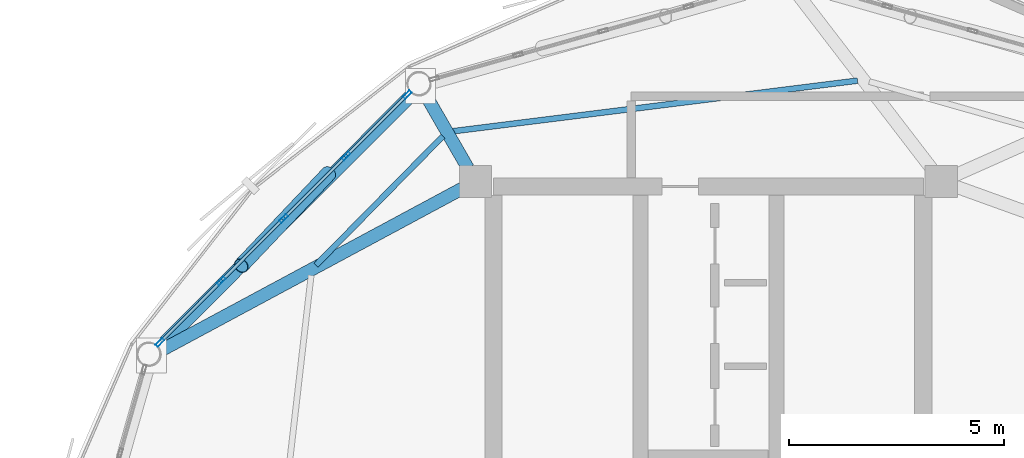
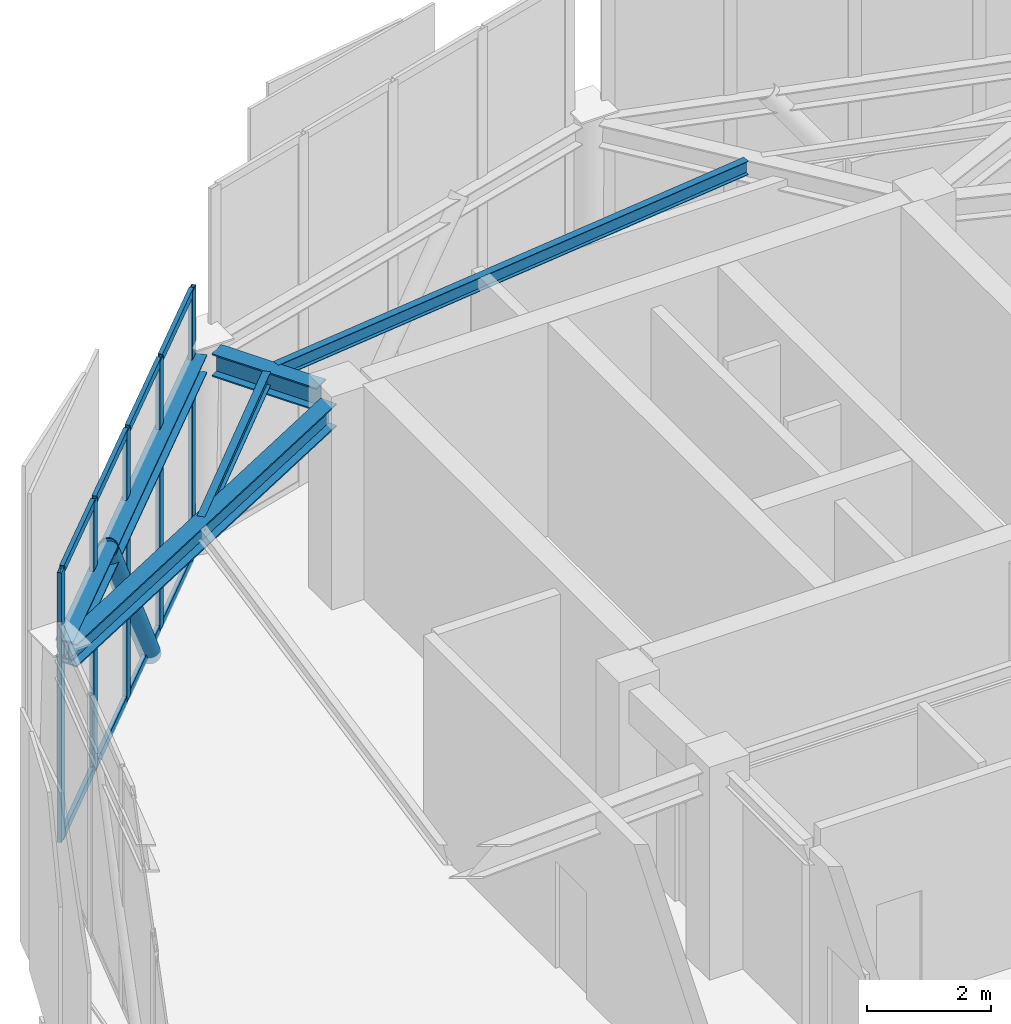
# One storey, part 9 of 20: 14 members, 5 beams, 1 element without a shape of its own.
"""IFC4 building model written with IfcOpenShell, lengths in metres."""

from ifc_helpers import new_model, si_unit, direction, frame, origin, origin_2d, place, context, subcontext, project, spatial, hollow_rectangle, hollow_circle, i_section, extrude, material, layer, layer_set, material_profile, profile_set, type_object, element, aggregate, save


model = new_model("IFC4")

# Units and contexts
model_context = context("Model", 3, precision=1e-05, world=origin(), true_north=direction((0.0, 1.0)))
body_context = subcontext(model_context, "Body", "Model", "MODEL_VIEW")
ifc_project = project(units=[si_unit("LENGTHUNIT", "METRE"), si_unit("AREAUNIT", "SQUARE_METRE"), si_unit("VOLUMEUNIT", "CUBIC_METRE"), si_unit("PLANEANGLEUNIT", "RADIAN"), si_unit("MASSUNIT", "GRAM", prefix="KILO")], contexts=[model_context])

# Site, building, storey
site_placement = place(None, origin())
site = spatial("IfcSite", under=ifc_project, at=site_placement, CompositionType="ELEMENT")
building_placement = place(site_placement, origin())
building = spatial("IfcBuilding", under=site, at=building_placement, Name="Varnakorn Sky Granary", CompositionType="ELEMENT")
storey_placement = place(building_placement, frame((0.0, 0.0, 310.800048828125)))
storey = spatial("IfcBuildingStorey", under=building, at=storey_placement, Name="L79", CompositionType="ELEMENT", Elevation=310.800048828125)

# Beams
ifc_material_1 = material(Name="Steel S355JR", Category="steel")
ifc_material_profile_1 = material_profile(ifc_material_1, i_section(OverallWidth=0.300048828125, OverallDepth=0.449951171875, WebThickness=0.013916015625, FlangeThickness=0.02587890625, at=origin_2d()), Name="HE 450 B")
ifc_profile_set_1 = profile_set([ifc_material_profile_1], Name="Steel S355JR")
beam_type_1 = type_object("IfcBeamType", Name="BM-RAD-Z5", PredefinedType="BEAM", material=ifc_profile_set_1)
beam_1_placement = place(storey_placement, frame((-2.597412109375, 12.927490234375, 3.73486328125), z_axis=(-0.499584699047, 0.866265045167, 0.0), x_axis=(-0.866265045167, -0.499584699047, 0.0)))
element("IfcBeam", 1, at=beam_1_placement, inside=storey, type_object=beam_type_1, Name="Radial Floor Girder RG05 L79", PredefinedType="BEAM", context=body_context, shape_type="SweptSolid", body=[
    extrude(i_section(OverallWidth=0.300048828125, OverallDepth=0.449951171875, WebThickness=0.013916015625, FlangeThickness=0.02587890625, at=origin_2d()), origin(), (0.0, 0.0, 1.0), 1.943603515625),
])
beam_2_placement = place(storey_placement, frame((-2.732666015625, 12.451904296875, 3.73486328125), z_axis=(-0.880853886649, -0.473388244864, 0.0), x_axis=(0.473388244864, -0.880853886649, 0.0)))
element("IfcBeam", 2, at=beam_2_placement, inside=storey, type_object=beam_type_1, Name="Radial Floor Girder RG06 L79", PredefinedType="BEAM", context=body_context, shape_type="SweptSolid", body=[
    extrude(i_section(OverallWidth=0.300048828125, OverallDepth=0.449951171875, WebThickness=0.013916015625, FlangeThickness=0.02587890625, at=origin_2d()), origin(), (0.0, 0.0, 1.0), 7.940185546875),
])
ifc_material_profile_2 = material_profile(ifc_material_1, i_section(OverallWidth=0.135009765625, OverallDepth=0.27001953125, WebThickness=0.006591796875, FlangeThickness=0.01025390625, at=origin_2d()), Name="IPE 270")
ifc_profile_set_2 = profile_set([ifc_material_profile_2], Name="Steel S355JR")
beam_type_2 = type_object("IfcBeamType", Name="BM-SEC-Z5", PredefinedType="BEAM", material=ifc_profile_set_2)
beam_3_placement = place(storey_placement, frame((6.468505859375, 14.964111328125, 3.824951171875), z_axis=(-0.992265993528, -0.124129763106, 0.0), x_axis=(0.124129763106, -0.992265993528, 0.0)))
element("IfcBeam", 3, at=beam_3_placement, inside=storey, type_object=beam_type_2, Name="Secondary Floor Chord Beam MSB04 L79", PredefinedType="BEAM", context=body_context, shape_type="SweptSolid", body=[
    extrude(i_section(OverallWidth=0.135009765625, OverallDepth=0.27001953125, WebThickness=0.006591796875, FlangeThickness=0.01025390625, at=origin_2d()), origin(), (0.0, 0.0, 1.0), 9.486083984375),
])
beam_4_placement = place(storey_placement, frame((-3.18115234375, 13.66943359375, 3.824951171875), z_axis=(-0.701541218528, -0.712628878664, 0.0), x_axis=(0.712628878664, -0.701541218528, 0.0)))
element("IfcBeam", 4, at=beam_4_placement, inside=storey, type_object=beam_type_2, Name="Secondary Floor Chord Beam MSB05 L79", PredefinedType="BEAM", context=body_context, shape_type="SweptSolid", body=[
    extrude(i_section(OverallWidth=0.135009765625, OverallDepth=0.27001953125, WebThickness=0.006591796875, FlangeThickness=0.01025390625, at=origin_2d()), origin(), (0.0, 0.0, 1.0), 4.20556640625),
])
ifc_material_profile_3 = material_profile(ifc_material_1, i_section(OverallWidth=0.300048828125, OverallDepth=0.360107421875, WebThickness=0.012451171875, FlangeThickness=0.0224609375, at=origin_2d()), Name="HE 360 B")
ifc_profile_set_3 = profile_set([ifc_material_profile_3], Name="Steel S355JR")
beam_type_3 = type_object("IfcBeamType", Name="BM-SPD-Z5", PredefinedType="SPANDREL", material=ifc_profile_set_3)
beam_5_placement = place(storey_placement, frame((-3.88720703125, 14.653076171875, 3.780029296875), z_axis=(-0.706388572025, -0.707824261602, 0.0), x_axis=(0.707824261602, -0.706388572025, 0.0)))
element("IfcBeam", 5, at=beam_5_placement, inside=storey, type_object=beam_type_3, Name="Perimeter Spandrel Ring Beam RB05 L79", PredefinedType="SPANDREL", context=body_context, shape_type="SweptSolid", body=[
    extrude(i_section(OverallWidth=0.300048828125, OverallDepth=0.360107421875, WebThickness=0.012451171875, FlangeThickness=0.0224609375, at=origin_2d()), origin(), (0.0, 0.0, 1.0), 8.33251953125),
])

# Curtain wall, members
ifc_material_2 = material(Name="Anodised Bronze Aluminium Alloy 6063-T6", Category="aluminium")
ifc_layer = layer(ifc_material_2, 0.22998046875, Name="Anodised Bronze Aluminium Alloy 6063-T6")
ifc_layer_set = layer_set([ifc_layer], Name="Anodised Bronze Aluminium Alloy 6063-T6")
curtain_wall_type = type_object("IfcCurtainWallType", Name="CW-LNT-1", PredefinedType="USERDEFINED", material=ifc_layer_set)
curtain_wall_placement = place(storey_placement, origin())
curtain_wall = element("IfcCurtainWall", 6, at=curtain_wall_placement, inside=storey, type_object=curtain_wall_type, Name="Unitised Curtain Wall CW7 CW-L79-B05", ObjectType="CURTAIN WALL", PredefinedType="USERDEFINED")
ifc_material_profile_4 = material_profile(ifc_material_2, hollow_rectangle(XDim=0.074951171875, YDim=0.219970703125, WallThickness=0.00390625, at=origin_2d()), Name="ALU MULL 75x220")
ifc_profile_set_4 = profile_set([ifc_material_profile_4], Name="Anodised Bronze Aluminium Alloy 6063-T6")
member_type_1 = type_object("IfcMemberType", Name="CW-LNT-1-MULL", PredefinedType="MULLION", material=ifc_profile_set_4)
member_1_placement = place(storey_placement, frame((-9.76708984375, 8.870849609375, 0.0), z_axis=(0.0, 0.0, 1.0), x_axis=(-0.707562678959, 0.706650589291, 0.0)))
member_1 = element("IfcMember", 7, at=member_1_placement, type_object=member_type_1, Name="CW7 mullion 1", PredefinedType="MULLION", context=body_context, shape_type="SweptSolid", body=[
    extrude(hollow_rectangle(XDim=0.074951171875, YDim=0.219970703125, WallThickness=0.00390625, at=origin_2d()), origin(), (0.0, 0.0, 1.0), 5.2958984375),
])
member_2_placement = place(storey_placement, frame((-8.3408203125, 10.298828125, 0.0), z_axis=(0.0, 0.0, 1.0), x_axis=(-0.707562678959, 0.706650589291, 0.0)))
member_2 = element("IfcMember", 8, at=member_2_placement, type_object=member_type_1, Name="CW7 mullion 2", PredefinedType="MULLION", context=body_context, shape_type="SweptSolid", body=[
    extrude(hollow_rectangle(XDim=0.074951171875, YDim=0.219970703125, WallThickness=0.00390625, at=origin_2d()), origin(), (0.0, 0.0, 1.0), 5.2958984375),
])
member_3_placement = place(storey_placement, frame((-6.88818359375, 11.75341796875, 0.0), z_axis=(0.0, 0.0, 1.0), x_axis=(-0.707562678959, 0.706650589291, 0.0)))
member_3 = element("IfcMember", 9, at=member_3_placement, type_object=member_type_1, Name="CW7 mullion 3", PredefinedType="MULLION", context=body_context, shape_type="SweptSolid", body=[
    extrude(hollow_rectangle(XDim=0.074951171875, YDim=0.219970703125, WallThickness=0.00390625, at=origin_2d()), origin(), (0.0, 0.0, 1.0), 5.2958984375),
])
member_4_placement = place(storey_placement, frame((-5.435546875, 13.207763671875, 0.0), z_axis=(0.0, 0.0, 1.0), x_axis=(-0.707562678959, 0.706650589291, 0.0)))
member_4 = element("IfcMember", 10, at=member_4_placement, type_object=member_type_1, Name="CW7 mullion 4", PredefinedType="MULLION", context=body_context, shape_type="SweptSolid", body=[
    extrude(hollow_rectangle(XDim=0.074951171875, YDim=0.219970703125, WallThickness=0.00390625, at=origin_2d()), origin(), (0.0, 0.0, 1.0), 5.2958984375),
])
member_5_placement = place(storey_placement, frame((-4.00927734375, 14.635986328125, 0.0), z_axis=(0.0, 0.0, 1.0), x_axis=(-0.707562678959, 0.706650589291, 0.0)))
member_5 = element("IfcMember", 11, at=member_5_placement, type_object=member_type_1, Name="CW7 mullion 5", PredefinedType="MULLION", context=body_context, shape_type="SweptSolid", body=[
    extrude(hollow_rectangle(XDim=0.074951171875, YDim=0.219970703125, WallThickness=0.00390625, at=origin_2d()), origin(), (0.0, 0.0, 1.0), 5.2958984375),
])
ifc_material_profile_5 = material_profile(ifc_material_2, hollow_rectangle(XDim=0.074951171875, YDim=0.159912109375, WallThickness=0.00390625, at=origin_2d()), Name="ALU TRAN 75x160")
ifc_profile_set_5 = profile_set([ifc_material_profile_5], Name="Anodised Bronze Aluminium Alloy 6063-T6")
member_type_2 = type_object("IfcMemberType", Name="CW-LNT-1-TRAN", PredefinedType="USERDEFINED", material=ifc_profile_set_5)
member_6_placement = place(storey_placement, frame((-9.74072265625, 8.897216796875, 0.037353515625), z_axis=(0.706666940601, 0.707546348349, 0.0), x_axis=(-0.707546348349, 0.706666940601, 0.0)))
member_6 = element("IfcMember", 12, at=member_6_placement, type_object=member_type_2, Name="CW7 transom 1.1", ObjectType="TRANSOM", PredefinedType="USERDEFINED", context=body_context, shape_type="SweptSolid", body=[
    extrude(hollow_rectangle(XDim=0.074951171875, YDim=0.159912109375, WallThickness=0.00390625, at=origin_2d()), origin(), (0.0, 0.0, 1.0), 1.943359375),
])
member_7_placement = place(storey_placement, frame((-9.74072265625, 8.897216796875, 5.258544921875), z_axis=(0.706666940601, 0.707546348349, 0.0), x_axis=(-0.707546348349, 0.706666940601, 0.0)))
member_7 = element("IfcMember", 13, at=member_7_placement, type_object=member_type_2, Name="CW7 transom 1.2", ObjectType="TRANSOM", PredefinedType="USERDEFINED", context=body_context, shape_type="SweptSolid", body=[
    extrude(hollow_rectangle(XDim=0.074951171875, YDim=0.159912109375, WallThickness=0.00390625, at=origin_2d()), origin(), (0.0, 0.0, 1.0), 1.943359375),
])
member_8_placement = place(storey_placement, frame((-8.314453125, 10.3251953125, 0.037353515625), z_axis=(0.706613594422, 0.707599624207, 0.0), x_axis=(-0.707599624207, 0.706613594422, 0.0)))
member_8 = element("IfcMember", 14, at=member_8_placement, type_object=member_type_2, Name="CW7 transom 2.1", ObjectType="TRANSOM", PredefinedType="USERDEFINED", context=body_context, shape_type="SweptSolid", body=[
    extrude(hollow_rectangle(XDim=0.074951171875, YDim=0.159912109375, WallThickness=0.00390625, at=origin_2d()), origin(), (0.0, 0.0, 1.0), 1.980712890625),
])
member_9_placement = place(storey_placement, frame((-8.314453125, 10.3251953125, 5.258544921875), z_axis=(0.706613594422, 0.707599624207, 0.0), x_axis=(-0.707599624207, 0.706613594422, 0.0)))
member_9 = element("IfcMember", 15, at=member_9_placement, type_object=member_type_2, Name="CW7 transom 2.2", ObjectType="TRANSOM", PredefinedType="USERDEFINED", context=body_context, shape_type="SweptSolid", body=[
    extrude(hollow_rectangle(XDim=0.074951171875, YDim=0.159912109375, WallThickness=0.00390625, at=origin_2d()), origin(), (0.0, 0.0, 1.0), 1.980712890625),
])
member_10_placement = place(storey_placement, frame((-6.86181640625, 11.77978515625, 0.037353515625), z_axis=(0.706613594422, 0.707599624207, 0.0), x_axis=(-0.707599624207, 0.706613594422, 0.0)))
member_10 = element("IfcMember", 16, at=member_10_placement, type_object=member_type_2, Name="CW7 transom 3.1", ObjectType="TRANSOM", PredefinedType="USERDEFINED", context=body_context, shape_type="SweptSolid", body=[
    extrude(hollow_rectangle(XDim=0.074951171875, YDim=0.159912109375, WallThickness=0.00390625, at=origin_2d()), origin(), (0.0, 0.0, 1.0), 1.980712890625),
])
member_11_placement = place(storey_placement, frame((-6.86181640625, 11.77978515625, 5.258544921875), z_axis=(0.706613594422, 0.707599624207, 0.0), x_axis=(-0.707599624207, 0.706613594422, 0.0)))
member_11 = element("IfcMember", 17, at=member_11_placement, type_object=member_type_2, Name="CW7 transom 3.2", ObjectType="TRANSOM", PredefinedType="USERDEFINED", context=body_context, shape_type="SweptSolid", body=[
    extrude(hollow_rectangle(XDim=0.074951171875, YDim=0.159912109375, WallThickness=0.00390625, at=origin_2d()), origin(), (0.0, 0.0, 1.0), 1.980712890625),
])
member_12_placement = place(storey_placement, frame((-5.4091796875, 13.234375, 0.037353515625), z_axis=(0.706666940601, 0.707546348349, 0.0), x_axis=(-0.707546348349, 0.706666940601, 0.0)))
member_12 = element("IfcMember", 18, at=member_12_placement, type_object=member_type_2, Name="CW7 transom 4.1", ObjectType="TRANSOM", PredefinedType="USERDEFINED", context=body_context, shape_type="SweptSolid", body=[
    extrude(hollow_rectangle(XDim=0.074951171875, YDim=0.159912109375, WallThickness=0.00390625, at=origin_2d()), origin(), (0.0, 0.0, 1.0), 1.943359375),
])
member_13_placement = place(storey_placement, frame((-5.4091796875, 13.234375, 5.258544921875), z_axis=(0.706666940601, 0.707546348349, 0.0), x_axis=(-0.707546348349, 0.706666940601, 0.0)))
member_13 = element("IfcMember", 19, at=member_13_placement, type_object=member_type_2, Name="CW7 transom 4.2", ObjectType="TRANSOM", PredefinedType="USERDEFINED", context=body_context, shape_type="SweptSolid", body=[
    extrude(hollow_rectangle(XDim=0.074951171875, YDim=0.159912109375, WallThickness=0.00390625, at=origin_2d()), origin(), (0.0, 0.0, 1.0), 1.943359375),
])
aggregate(curtain_wall, [member_1, member_2, member_3, member_4, member_5, member_6, member_7, member_8, member_9, member_10, member_11, member_12, member_13])

# Member
ifc_material_3 = material(Name="Steel S460M", Category="steel")
ifc_material_profile_6 = material_profile(ifc_material_3, hollow_circle(Radius=0.177734375, WallThickness=0.01416015625, at=origin_2d()), Name="CHS 355.6x14")
ifc_profile_set_6 = profile_set([ifc_material_profile_6], Name="Steel S460M")
member_type_3 = type_object("IfcMemberType", Name="MB-DIAG-T5", PredefinedType="BRACE", material=ifc_profile_set_6)
member_14_placement = place(storey_placement, frame((-5.83984375, 12.802978515625, -0.130126953125), z_axis=(-0.40298535849, -0.424951423175, 0.810567140208), x_axis=(0.725611760676, -0.688104332764, 0.0)))
element("IfcMember", 20, at=member_14_placement, inside=storey, type_object=member_type_3, Name="Perimeter CHS Diagrid Brace DG05 L79", PredefinedType="BRACE", context=body_context, shape_type="SweptSolid", body=[
    extrude(hollow_circle(Radius=0.177734375, WallThickness=0.01416015625, at=origin_2d()), origin(), (0.0, 0.0, 1.0), 5.0458984375),
])

save(model, "model.ifc")
